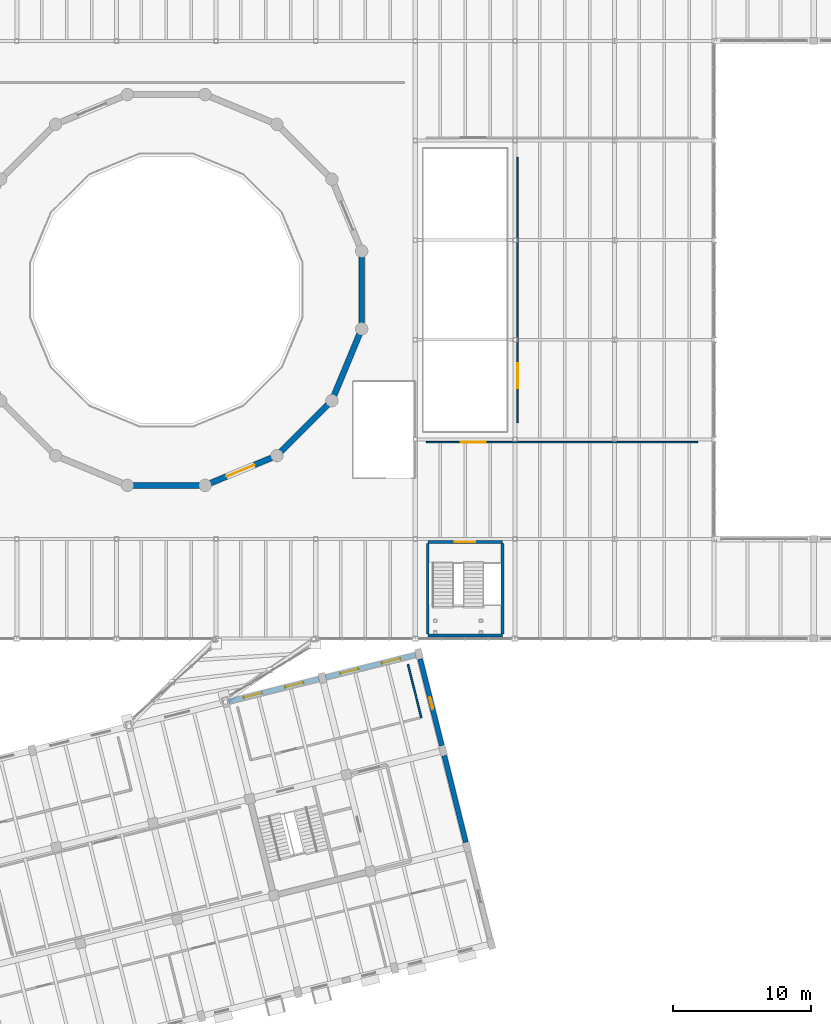
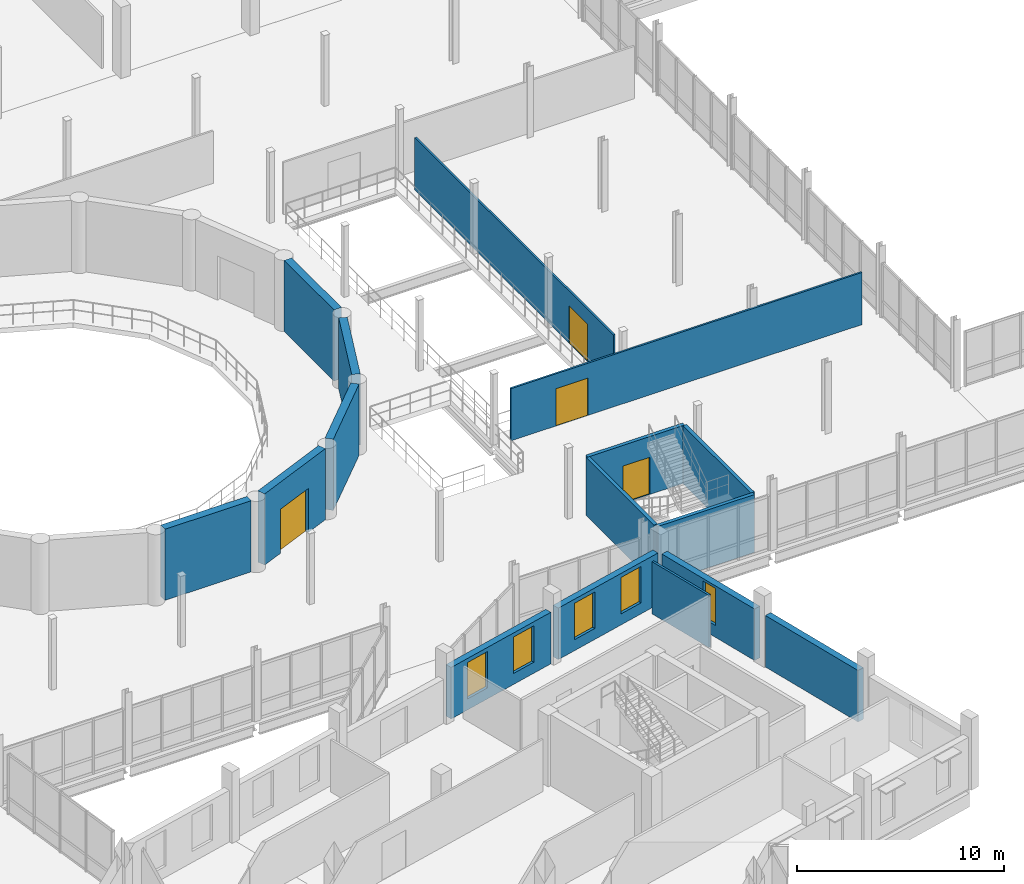
# One storey, part 58 of 72: 16 walls, 5 windows, 4 doors, 9 openings.
"""IFC4 building model written with IfcOpenShell, lengths in metres."""

from ifc_helpers import new_model, si_unit, direction, frame, frame_2d, origin, place, context, subcontext, project, spatial, rectangle, extrude, material, layer, layer_set, type_object, element, fill, save


model = new_model("IFC4")

# Units and contexts
model_context = context("Model", 3, precision=1e-05, world=origin(), true_north=direction((0.0, 1.0)))
body_context = subcontext(model_context, "Body", "Model", "MODEL_VIEW")
ifc_project = project(units=[si_unit("LENGTHUNIT", "METRE"), si_unit("AREAUNIT", "SQUARE_METRE"), si_unit("VOLUMEUNIT", "CUBIC_METRE"), si_unit("PLANEANGLEUNIT", "RADIAN"), si_unit("MASSUNIT", "GRAM", prefix="KILO")], contexts=[model_context])

# Site, building, storey
site_placement = place(None, origin())
site = spatial("IfcSite", under=ifc_project, at=site_placement, CompositionType="ELEMENT")
building_placement = place(site_placement, origin())
building = spatial("IfcBuilding", under=site, at=building_placement, Name="Qiaolan Assembly House", CompositionType="ELEMENT")
storey_placement = place(building_placement, frame((0.0, 0.0, 10.199951171875)))
storey = spatial("IfcBuildingStorey", under=building, at=storey_placement, Name="L02", CompositionType="ELEMENT", Elevation=10.199951171875)

# Wall
ifc_material_1 = material(Name="Concrete C50/60", Category="concrete")
ifc_layer_1 = layer(ifc_material_1, 0.419921875)
ifc_layer_set_1 = layer_set([ifc_layer_1], Name="Concrete C50/60")
wall_type_1 = type_object("IfcWallType", Name="WAL-DRUM-420", PredefinedType="SHEAR", material=ifc_layer_set_1)
wall_1_placement = place(storey_placement, frame((70.809326171875, 47.07666015625, 0.0), z_axis=(0.0, 0.0, 1.0), x_axis=(-1.0, 0.0, 0.0)))
element("IfcWall", 1, at=wall_1_placement, inside=storey, type_object=wall_type_1, Name="DW-420 council chamber drum wall 12 L02", PredefinedType="SHEAR", context=body_context, shape_type="SweptSolid", body=[
    extrude(rectangle(XDim=4.818603515625, YDim=0.419921875, at=frame_2d((2.4091796875, 0.0))), origin(), (0.0, 0.0, 1.0), 4.199951171875),
])

# Wall, opening, door
wall_2_placement = place(storey_placement, frame((76.03076171875, 49.07373046875, 0.0), z_axis=(0.0, 0.0, 1.0), x_axis=(-0.923882834003, -0.382675461762, 0.0)))
wall_2 = element("IfcWall", 2, at=wall_2_placement, inside=storey, type_object=wall_type_1, Name="DW-420 council chamber drum wall 13 L02", PredefinedType="SHEAR", context=body_context, shape_type="SweptSolid", body=[
    extrude(rectangle(XDim=4.818603515625, YDim=0.419921875, at=frame_2d((2.4091796875, 0.0))), origin(), (0.0, 0.0, 1.0), 4.199951171875),
])
opening_1_placement = place(wall_2_placement, frame((1.35009765625, 0.0, 0.0)))
opening_1 = element("IfcOpeningElement", 3, at=opening_1_placement, cuts=wall_2, Name="Opening CD-153", PredefinedType="OPENING", context=body_context, shape_type="SweptSolid", body=[
    extrude(rectangle(XDim=2.199951171875, YDim=2.60009765625, at=frame_2d((1.10009765625, 1.300048828125))), frame((0.0, 0.219970703125, 0.0), z_axis=(0.0, -1.0, 0.0), x_axis=(1.0, 0.0, 0.0)), (0.0, 0.0, 1.0), 0.43994140625),
])
ifc_material_2 = material(Name="Acoustic oak panelling")
door_type_1 = type_object("IfcDoorType", Name="DOR-CHAMBER-2200", OperationType="DOUBLE_DOOR_SINGLE_SWING", PredefinedType="DOOR", material=ifc_material_2)
door_1_placement = place(opening_1_placement, origin())
door_1 = element("IfcDoor", 4, at=door_1_placement, inside=storey, type_object=door_type_1, Name="Council Chamber ceremonial acoustic door CD-153", OperationType="DOUBLE_DOOR_SINGLE_SWING", OverallHeight=2.60009765625, OverallWidth=2.199951171875, PredefinedType="DOOR", context=body_context, shape_type="SweptSolid", body=[
    extrude(rectangle(XDim=2.199951171875, YDim=2.60009765625, at=frame_2d((1.10009765625, 1.300048828125))), frame((0.0, 0.02490234375, 0.0), z_axis=(0.0, -1.0, 0.0), x_axis=(1.0, 0.0, 0.0)), (0.0, 0.0, 1.0), 0.050048828125),
])
fill(opening_1, door_1)

# Walls
for number, where, z_axis, x_axis, name in (
    (5, (80.09033203125, 52.9169921875, 0.0), (0.0, 0.0, 1.0), (-0.707106781187, -0.707106781187, 0.0), "DW-420 council chamber drum wall 14 L02"),
    (6, (82.3701171875, 58.021240234375, 0.0), (0.0, 0.0, 1.0), (-0.382675461762, -0.923882834003, 0.0), "DW-420 council chamber drum wall 15 L02"),
    (7, (82.523193359375, 63.609375, 0.0), (0.0, 0.0, 1.0), (0.0, -1.0, 0.0), "DW-420 council chamber drum wall 16 L02"),
):
    element("IfcWall", number, at=place(storey_placement, frame(where, z_axis=z_axis, x_axis=x_axis)), inside=storey, type_object=wall_type_1, Name=name, PredefinedType="SHEAR", context=body_context, shape_type="SweptSolid", body=[
        extrude(rectangle(XDim=4.818603515625, YDim=0.419921875, at=frame_2d((2.4091796875, 0.0))), origin(), (0.0, 0.0, 1.0), 4.199951171875),
    ])

# Wall, openings, windows
ifc_material_3 = material(Name="Honed pale limestone", Category="masonry")
ifc_layer_2 = layer(ifc_material_3, 0.360107421875)
ifc_layer_set_2 = layer_set([ifc_layer_2], Name="Honed pale limestone")
wall_type_2 = type_object("IfcWallType", Name="WAL-EXT-LIMESTONE-360", PredefinedType="SOLIDWALL", material=ifc_layer_set_2)
wall_3_placement = place(storey_placement, frame((79.436767578125, 33.09130859375, 0.0), z_axis=(0.0, 0.0, 1.0), x_axis=(-0.970296540998, -0.241918627903, 0.0)))
wall_3 = element("IfcWall", 8, at=wall_3_placement, inside=storey, type_object=wall_type_2, Name="EW-360 SE North court wall L02 bay 7", PredefinedType="SOLIDWALL", context=body_context, shape_type="SweptSolid", body=[
    extrude(rectangle(XDim=6.7041015625, YDim=0.360107421875, at=frame_2d((3.35205078125, 0.0))), origin(), (0.0, 0.0, 1.0), 3.0400390625),
])
opening_2_placement = place(wall_3_placement, frame((1.152099609375, 0.0, 0.64990234375)))
opening_2 = element("IfcOpeningElement", 9, at=opening_2_placement, cuts=wall_3, Name="Opening WN-304", PredefinedType="OPENING", context=body_context, shape_type="SweptSolid", body=[
    extrude(rectangle(XDim=1.35009765625, YDim=2.14990234375, at=frame_2d((0.675048828125, 1.074951171875))), frame((0.0, 0.18994140625, 0.0), z_axis=(0.0, -1.0, 0.0), x_axis=(1.0, 0.0, 0.0)), (0.0, 0.0, 1.0), 0.380126953125),
])
opening_3_placement = place(wall_3_placement, frame((4.251953125, 0.0, 0.64990234375)))
opening_3 = element("IfcOpeningElement", 10, at=opening_3_placement, cuts=wall_3, Name="Opening WN-305", PredefinedType="OPENING", context=body_context, shape_type="SweptSolid", body=[
    extrude(rectangle(XDim=1.35009765625, YDim=2.14990234375, at=frame_2d((0.675048828125, 1.074951171875))), frame((0.0, 0.18994140625, 0.0), z_axis=(0.0, -1.0, 0.0), x_axis=(1.0, 0.0, 0.0)), (0.0, 0.0, 1.0), 0.380126953125),
])
ifc_material_4 = material(Name="Low-E double insulating glass", Category="glass")
window_type_1 = type_object("IfcWindowType", Name="WIN-COURT-1350x2150", PartitioningType="DOUBLE_PANEL_VERTICAL", PredefinedType="WINDOW", material=ifc_material_4)
window_1_placement = place(opening_2_placement, origin())
window_1 = element("IfcWindow", 11, at=window_1_placement, inside=storey, type_object=window_type_1, Name="SE court window WN-304", OverallHeight=2.14990234375, OverallWidth=1.35009765625, PartitioningType="DOUBLE_PANEL_VERTICAL", PredefinedType="WINDOW", context=body_context, shape_type="SweptSolid", body=[
    extrude(rectangle(XDim=1.35009765625, YDim=2.14990234375, at=frame_2d((0.675048828125, 1.074951171875))), frame((0.0, 0.030029296875, 0.0), z_axis=(0.0, -1.0, 0.0), x_axis=(1.0, 0.0, 0.0)), (0.0, 0.0, 1.0), 0.06005859375),
])
fill(opening_2, window_1)
window_2_placement = place(opening_3_placement, origin())
window_2 = element("IfcWindow", 12, at=window_2_placement, inside=storey, type_object=window_type_1, Name="SE court window WN-305", OverallHeight=2.14990234375, OverallWidth=1.35009765625, PartitioningType="DOUBLE_PANEL_VERTICAL", PredefinedType="WINDOW", context=body_context, shape_type="SweptSolid", body=[
    extrude(rectangle(XDim=1.35009765625, YDim=2.14990234375, at=frame_2d((0.675048828125, 1.074951171875))), frame((0.0, 0.030029296875, 0.0), z_axis=(0.0, -1.0, 0.0), x_axis=(1.0, 0.0, 0.0)), (0.0, 0.0, 1.0), 0.06005859375),
])
fill(opening_3, window_2)

wall_4_placement = place(storey_placement, frame((86.4228515625, 34.8330078125, 0.0), z_axis=(0.0, 0.0, 1.0), x_axis=(-0.970296540998, -0.241918627903, 0.0)))
wall_4 = element("IfcWall", 13, at=wall_4_placement, inside=storey, type_object=wall_type_2, Name="EW-360 SE North court wall L02 bay 8", PredefinedType="SOLIDWALL", context=body_context, shape_type="SweptSolid", body=[
    extrude(rectangle(XDim=6.7041015625, YDim=0.360107421875, at=frame_2d((3.35205078125, 0.0))), origin(), (0.0, 0.0, 1.0), 3.0400390625),
])
opening_4_placement = place(wall_4_placement, frame((1.152099609375, 0.0, 0.64990234375)))
opening_4 = element("IfcOpeningElement", 14, at=opening_4_placement, cuts=wall_4, Name="Opening WN-306", PredefinedType="OPENING", context=body_context, shape_type="SweptSolid", body=[
    extrude(rectangle(XDim=1.35009765625, YDim=2.14990234375, at=frame_2d((0.675048828125, 1.074951171875))), frame((0.0, 0.18994140625, 0.0), z_axis=(0.0, -1.0, 0.0), x_axis=(1.0, 0.0, 0.0)), (0.0, 0.0, 1.0), 0.380126953125),
])
opening_5_placement = place(wall_4_placement, frame((4.251953125, 0.0, 0.64990234375)))
opening_5 = element("IfcOpeningElement", 15, at=opening_5_placement, cuts=wall_4, Name="Opening WN-307", PredefinedType="OPENING", context=body_context, shape_type="SweptSolid", body=[
    extrude(rectangle(XDim=1.35009765625, YDim=2.14990234375, at=frame_2d((0.675048828125, 1.074951171875))), frame((0.0, 0.18994140625, 0.0), z_axis=(0.0, -1.0, 0.0), x_axis=(1.0, 0.0, 0.0)), (0.0, 0.0, 1.0), 0.380126953125),
])
window_3_placement = place(opening_4_placement, origin())
window_3 = element("IfcWindow", 16, at=window_3_placement, inside=storey, type_object=window_type_1, Name="SE court window WN-306", OverallHeight=2.14990234375, OverallWidth=1.35009765625, PartitioningType="DOUBLE_PANEL_VERTICAL", PredefinedType="WINDOW", context=body_context, shape_type="SweptSolid", body=[
    extrude(rectangle(XDim=1.35009765625, YDim=2.14990234375, at=frame_2d((0.675048828125, 1.074951171875))), frame((0.0, 0.030029296875, 0.0), z_axis=(0.0, -1.0, 0.0), x_axis=(1.0, 0.0, 0.0)), (0.0, 0.0, 1.0), 0.06005859375),
])
fill(opening_4, window_3)
window_4_placement = place(opening_5_placement, origin())
window_4 = element("IfcWindow", 17, at=window_4_placement, inside=storey, type_object=window_type_1, Name="SE court window WN-307", OverallHeight=2.14990234375, OverallWidth=1.35009765625, PartitioningType="DOUBLE_PANEL_VERTICAL", PredefinedType="WINDOW", context=body_context, shape_type="SweptSolid", body=[
    extrude(rectangle(XDim=1.35009765625, YDim=2.14990234375, at=frame_2d((0.675048828125, 1.074951171875))), frame((0.0, 0.030029296875, 0.0), z_axis=(0.0, -1.0, 0.0), x_axis=(1.0, 0.0, 0.0)), (0.0, 0.0, 1.0), 0.06005859375),
])
fill(opening_5, window_4)

# Wall
wall_5_placement = place(storey_placement, frame((90.056884765625, 21.28271484375, 0.0), z_axis=(0.0, 0.0, 1.0), x_axis=(-0.241912519272, 0.970298064009, 0.0)))
element("IfcWall", 18, at=wall_5_placement, inside=storey, type_object=wall_type_2, Name="SE East wall L02-2", PredefinedType="SOLIDWALL", context=body_context, shape_type="SweptSolid", body=[
    extrude(rectangle(XDim=6.453857421875, YDim=0.360107421875, at=frame_2d((3.22705078125, 0.0))), origin(), (0.0, 0.0, 1.0), 3.0400390625),
])

# Wall, opening, window
wall_6_placement = place(storey_placement, frame((88.315185546875, 28.268798828125, 0.0), z_axis=(0.0, 0.0, 1.0), x_axis=(-0.241939253206, 0.970291398374, 0.0)))
wall_6 = element("IfcWall", 19, at=wall_6_placement, inside=storey, type_object=wall_type_2, Name="SE East wall L02-3", PredefinedType="SOLIDWALL", context=body_context, shape_type="SweptSolid", body=[
    extrude(rectangle(XDim=6.4541015625, YDim=0.360107421875, at=frame_2d((3.22705078125, 0.0))), origin(), (0.0, 0.0, 1.0), 3.0400390625),
])
opening_6_placement = place(wall_6_placement, frame((2.72705078125, 0.0, 0.699951171875)))
opening_6 = element("IfcOpeningElement", 20, at=opening_6_placement, cuts=wall_6, Name="Opening WN-309", PredefinedType="OPENING", context=body_context, shape_type="SweptSolid", body=[
    extrude(rectangle(XDim=0.85009765625, YDim=2.18994140625, at=frame_2d((0.425048828125, 1.094970703125))), frame((0.0, 0.18994140625, 0.0), z_axis=(0.0, -1.0, 0.0), x_axis=(1.0, 0.0, 0.0)), (0.0, 0.0, 1.0), 0.380126953125),
])
window_type_2 = type_object("IfcWindowType", Name="WIN-END-850x2200", PartitioningType="SINGLE_PANEL", PredefinedType="WINDOW", material=ifc_material_4)
window_5_placement = place(opening_6_placement, origin())
window_5 = element("IfcWindow", 21, at=window_5_placement, inside=storey, type_object=window_type_2, Name="SE East window WN-309", OverallHeight=2.18994140625, OverallWidth=0.85009765625, PartitioningType="SINGLE_PANEL", PredefinedType="WINDOW", context=body_context, shape_type="SweptSolid", body=[
    extrude(rectangle(XDim=0.85009765625, YDim=2.18994140625, at=frame_2d((0.425048828125, 1.094970703125))), frame((0.0, 0.030029296875, 0.0), z_axis=(0.0, -1.0, 0.0), x_axis=(1.0, 0.0, 0.0)), (0.0, 0.0, 1.0), 0.06005859375),
])
fill(opening_6, window_5)

# Wall, opening, door
ifc_material_5 = material(Name="Concrete C35/45", Category="concrete")
ifc_layer_3 = layer(ifc_material_5, 0.199951171875)
ifc_layer_set_3 = layer_set([ifc_layer_3], Name="Concrete C35/45")
wall_type_3 = type_object("IfcWallType", Name="WAL-LOBBY-200", PredefinedType="PARTITIONING", material=ifc_layer_set_3)
wall_7_placement = place(storey_placement, frame((87.300048828125, 42.97998046875, 0.0), z_axis=(0.0, 0.0, 1.0), x_axis=(1.0, 0.0, 0.0)))
wall_7 = element("IfcWall", 22, at=wall_7_placement, inside=storey, type_object=wall_type_3, Name="LW-200 foyer stairwell north wall F2 L02", PredefinedType="PARTITIONING", context=body_context, shape_type="SweptSolid", body=[
    extrude(rectangle(XDim=5.39990234375, YDim=0.199951171875, at=frame_2d((2.699951171875, 0.0))), origin(), (0.0, 0.0, 1.0), 3.420166015625),
])
opening_7_placement = place(wall_7_placement, frame((1.949951171875, 0.0, 0.0)))
opening_7 = element("IfcOpeningElement", 23, at=opening_7_placement, cuts=wall_7, Name="Opening FD-922", PredefinedType="OPENING", context=body_context, shape_type="SweptSolid", body=[
    extrude(rectangle(XDim=1.5, YDim=2.199951171875, at=frame_2d((0.75, 1.10009765625))), frame((0.0, 0.10986328125, 0.0), z_axis=(0.0, -1.0, 0.0), x_axis=(1.0, 0.0, 0.0)), (0.0, 0.0, 1.0), 0.219970703125),
])
door_type_2 = type_object("IfcDoorType", Name="DOR-LOBBY-FD60-1500", OperationType="DOUBLE_DOOR_SINGLE_SWING", PredefinedType="DOOR", material=ifc_material_2)
door_2_placement = place(opening_7_placement, origin())
door_2 = element("IfcDoor", 24, at=door_2_placement, inside=storey, type_object=door_type_2, Name="Foyer stairwell fire door FD-922", OperationType="DOUBLE_DOOR_SINGLE_SWING", OverallHeight=2.199951171875, OverallWidth=1.5, PredefinedType="DOOR", context=body_context, shape_type="SweptSolid", body=[
    extrude(rectangle(XDim=1.5, YDim=2.199951171875, at=frame_2d((0.75, 1.10009765625))), frame((0.0, 0.02490234375, 0.0), z_axis=(0.0, -1.0, 0.0), x_axis=(1.0, 0.0, 0.0)), (0.0, 0.0, 1.0), 0.050048828125),
])
fill(opening_7, door_2)

# Walls
wall_8_placement = place(storey_placement, frame((92.699951171875, 36.219970703125, 0.0), z_axis=(0.0, 0.0, 1.0), x_axis=(-1.0, 0.0, 0.0)))
element("IfcWall", 25, at=wall_8_placement, inside=storey, type_object=wall_type_3, Name="LW-200 foyer stairwell south wall F2 L02", PredefinedType="PARTITIONING", context=body_context, shape_type="SweptSolid", body=[
    extrude(rectangle(XDim=5.39990234375, YDim=0.199951171875, at=frame_2d((2.699951171875, 0.0))), origin(), (0.0, 0.0, 1.0), 3.420166015625),
])
for number, where, z_axis, x_axis, name in (
    (26, (87.300048828125, 42.8798828125, 0.0), (0.0, 0.0, 1.0), (0.0, -1.0, 0.0), "LW-200 foyer stairwell west wall F2 L02"),
    (27, (92.699951171875, 36.320068359375, 0.0), (0.0, 0.0, 1.0), (0.0, 1.0, 0.0), "LW-200 foyer stairwell east wall F2 L02"),
):
    element("IfcWall", number, at=place(storey_placement, frame(where, z_axis=z_axis, x_axis=x_axis)), inside=storey, type_object=wall_type_3, Name=name, PredefinedType="PARTITIONING", context=body_context, shape_type="SweptSolid", body=[
        extrude(rectangle(XDim=6.559814453125, YDim=0.199951171875, at=frame_2d((3.27978515625, 0.0))), origin(), (0.0, 0.0, 1.0), 3.420166015625),
    ])
ifc_material_6 = material(Name="Gypsum plasterboard partition")
ifc_layer_4 = layer(ifc_material_6, 0.1201171875)
ifc_layer_set_4 = layer_set([ifc_layer_4], Name="Gypsum plasterboard partition")
wall_type_4 = type_object("IfcWallType", Name="WAL-PART-120", PredefinedType="PARTITIONING", material=ifc_layer_set_4)
wall_9_placement = place(storey_placement, frame((85.874755859375, 34.129638671875, 0.0), z_axis=(0.0, 0.0, 1.0), x_axis=(0.241910239337, -0.970298632434, 0.0)))
element("IfcWall", 28, at=wall_9_placement, inside=storey, type_object=wall_type_4, Name="Boulevard Wing Project Office L02 east wall", PredefinedType="PARTITIONING", context=body_context, shape_type="SweptSolid", body=[
    extrude(rectangle(XDim=3.9501953125, YDim=0.1201171875, at=frame_2d((1.97509765625, 0.0))), origin(), (0.0, 0.0, 1.0), 3.080078125),
])

# Wall, opening, door
ifc_layer_5 = layer(ifc_material_4, 0.10498046875)
ifc_layer_set_5 = layer_set([ifc_layer_5], Name="Low-E double insulating glass")
wall_type_5 = type_object("IfcWallType", Name="WAL-PART-GLAZED-120", PredefinedType="PARTITIONING", material=ifc_layer_set_5)
wall_10_placement = place(storey_placement, frame((87.199951171875, 50.199951171875, 0.0), z_axis=(0.0, 0.0, 1.0), x_axis=(1.0, 0.0, 0.0)))
wall_10 = element("IfcWall", 29, at=wall_10_placement, inside=storey, type_object=wall_type_5, Name="Joint Civic Review & Audit Suite glazed partition", PredefinedType="PARTITIONING", context=body_context, shape_type="SweptSolid", body=[
    extrude(rectangle(XDim=19.60009765625, YDim=0.10498046875, at=frame_2d((9.800048828125, 0.0))), origin(), (0.0, 0.0, 1.0), 3.080078125),
])
opening_8_placement = place(wall_10_placement, frame((2.5, 0.0, 0.0)))
opening_8 = element("IfcOpeningElement", 30, at=opening_8_placement, cuts=wall_10, Name="Opening GD-169", PredefinedType="OPENING", context=body_context, shape_type="SweptSolid", body=[
    extrude(rectangle(XDim=1.800048828125, YDim=2.199951171875, at=frame_2d((0.89990234375, 1.10009765625))), frame((0.0, 0.0625, 0.0), z_axis=(0.0, -1.0, 0.0), x_axis=(1.0, 0.0, 0.0)), (0.0, 0.0, 1.0), 0.125),
])
ifc_material_7 = material(Name="Anodised bronze aluminium", Category="aluminium")
door_type_3 = type_object("IfcDoorType", Name="DOR-CORR-DBL-1800", OperationType="DOUBLE_DOOR_SINGLE_SWING", PredefinedType="DOOR", material=ifc_material_7)
door_3_placement = place(opening_8_placement, origin())
door_3 = element("IfcDoor", 31, at=door_3_placement, inside=storey, type_object=door_type_3, Name="Joint Civic Review & Audit Suite door GD-169", OperationType="DOUBLE_DOOR_SINGLE_SWING", OverallHeight=2.199951171875, OverallWidth=1.800048828125, PredefinedType="DOOR", context=body_context, shape_type="SweptSolid", body=[
    extrude(rectangle(XDim=1.800048828125, YDim=2.199951171875, at=frame_2d((0.89990234375, 1.10009765625))), frame((0.0, 0.02490234375, 0.0), z_axis=(0.0, -1.0, 0.0), x_axis=(1.0, 0.0, 0.0)), (0.0, 0.0, 1.0), 0.050048828125),
])
fill(opening_8, door_3)

wall_11_placement = place(storey_placement, frame((93.800048828125, 51.60009765625, 0.0), z_axis=(0.0, 0.0, 1.0), x_axis=(0.0, 1.0, 0.0)))
wall_11 = element("IfcWall", 32, at=wall_11_placement, inside=storey, type_object=wall_type_5, Name="Civic Open-Data Visualization Room glazed partition", PredefinedType="PARTITIONING", context=body_context, shape_type="SweptSolid", body=[
    extrude(rectangle(XDim=19.199951171875, YDim=0.10498046875, at=frame_2d((9.60009765625, 0.0))), origin(), (0.0, 0.0, 1.0), 3.080078125),
])
opening_9_placement = place(wall_11_placement, frame((2.5, 0.0, 0.0)))
opening_9 = element("IfcOpeningElement", 33, at=opening_9_placement, cuts=wall_11, Name="Opening GD-171", PredefinedType="OPENING", context=body_context, shape_type="SweptSolid", body=[
    extrude(rectangle(XDim=1.800048828125, YDim=2.199951171875, at=frame_2d((0.89990234375, 1.10009765625))), frame((0.0, 0.0625, 0.0), z_axis=(0.0, -1.0, 0.0), x_axis=(1.0, 0.0, 0.0)), (0.0, 0.0, 1.0), 0.125),
])
door_4_placement = place(opening_9_placement, origin())
door_4 = element("IfcDoor", 34, at=door_4_placement, inside=storey, type_object=door_type_3, Name="Civic Open-Data Visualization Room door GD-171", OperationType="DOUBLE_DOOR_SINGLE_SWING", OverallHeight=2.199951171875, OverallWidth=1.800048828125, PredefinedType="DOOR", context=body_context, shape_type="SweptSolid", body=[
    extrude(rectangle(XDim=1.800048828125, YDim=2.199951171875, at=frame_2d((0.89990234375, 1.10009765625))), frame((0.0, 0.02490234375, 0.0), z_axis=(0.0, -1.0, 0.0), x_axis=(1.0, 0.0, 0.0)), (0.0, 0.0, 1.0), 0.050048828125),
])
fill(opening_9, door_4)

save(model, "model.ifc")
